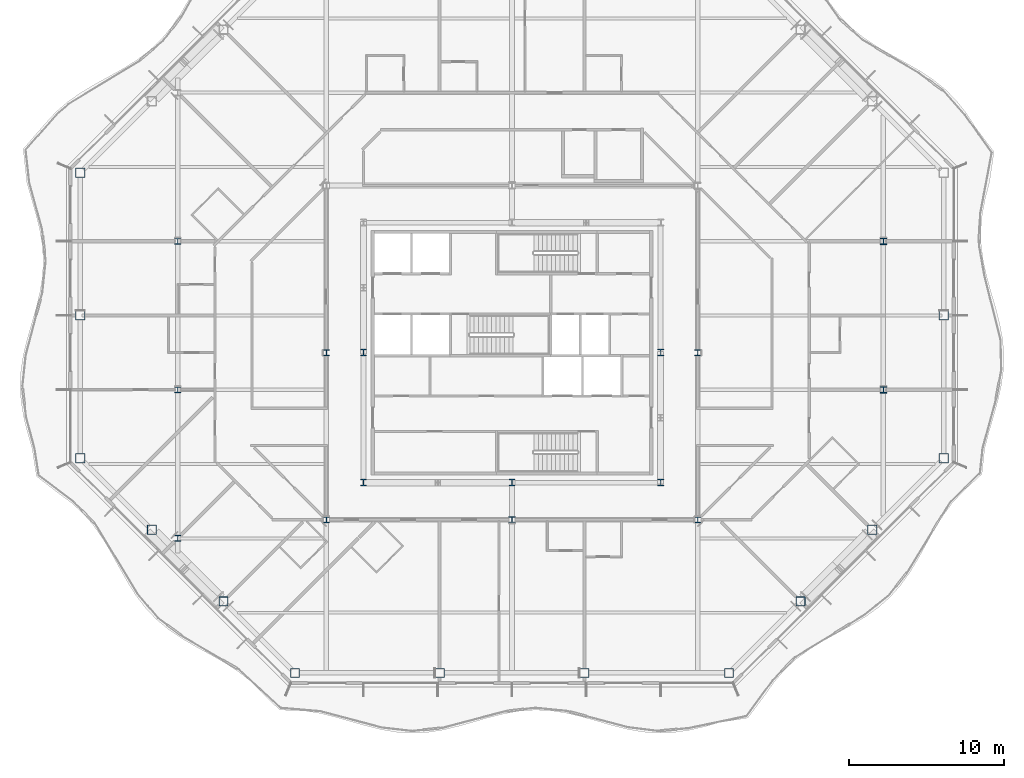
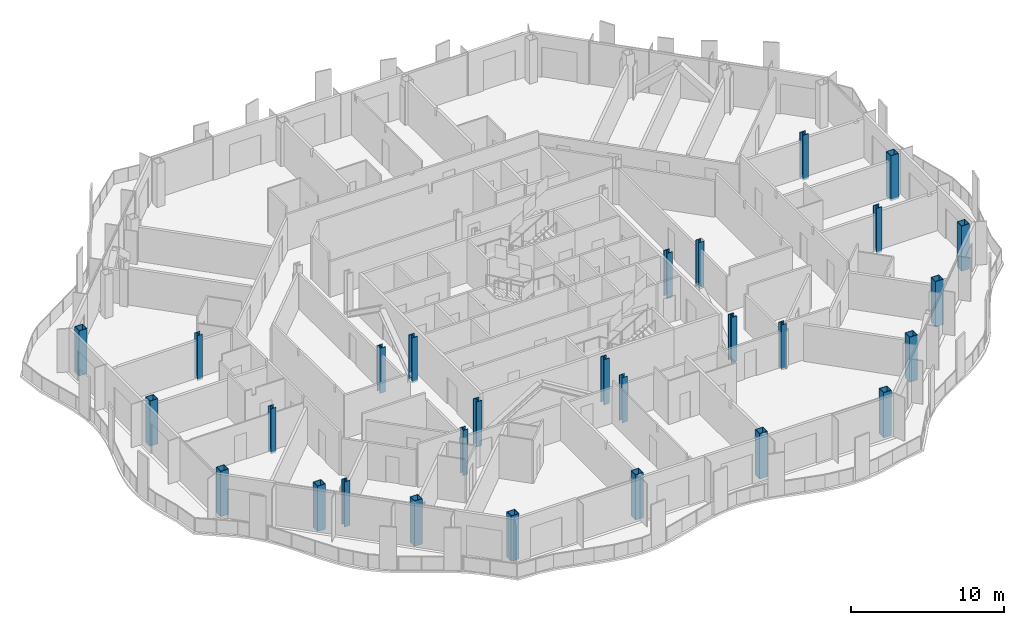
# One storey, part 1 of 21: 28 columns.
"""IFC4 building model written with IfcOpenShell, lengths in metres."""

from ifc_helpers import new_model, si_unit, direction, frame, origin, origin_2d, place, context, subcontext, project, spatial, hollow_rectangle, i_section, extrude, material, material_profile, profile_set, type_object, element, save


model = new_model("IFC4")

# Units and contexts
model_context = context("Model", 3, precision=1e-05, world=origin(), true_north=direction((0.0, 1.0)))
body_context = subcontext(model_context, "Body", "Model", "MODEL_VIEW")
ifc_project = project(units=[si_unit("LENGTHUNIT", "METRE"), si_unit("AREAUNIT", "SQUARE_METRE"), si_unit("VOLUMEUNIT", "CUBIC_METRE"), si_unit("PLANEANGLEUNIT", "RADIAN"), si_unit("MASSUNIT", "GRAM", prefix="KILO")], contexts=[model_context])

# Site, building, storey
site_placement = place(None, origin())
site = spatial("IfcSite", under=ifc_project, at=site_placement, CompositionType="ELEMENT")
building_placement = place(site_placement, origin())
building = spatial("IfcBuilding", under=site, at=building_placement, Name="Cairn Pilgrim Tower", CompositionType="ELEMENT")
storey_placement = place(building_placement, frame((0.0, 0.0, 154.199951171875)))
storey = spatial("IfcBuildingStorey", under=building, at=storey_placement, Name="L38", CompositionType="ELEMENT", Elevation=154.199951171875)

# Columns
ifc_material_1 = material(Name="Structural steel S460M", Category="steel")
ifc_material_profile_1 = material_profile(ifc_material_1, hollow_rectangle(XDim=0.60009765625, YDim=0.60009765625, WallThickness=0.034912109375, at=origin_2d()), Name="BOX 600x600x35")
ifc_profile_set_1 = profile_set([ifc_material_profile_1], Name="Structural steel S460M")
column_type_1 = type_object("IfcColumnType", Name="BOX 600x600x35", PredefinedType="COLUMN", material=ifc_profile_set_1)
for number, where, z_axis, x_axis, name in (
    (1, (-6.8271484375, -18.300048828125, -0.14990234375), (0.0, 0.0, 1.0), (1.0, 0.0, 0.0), "PC2-S1"),
    (2, (2.5244140625, -18.300048828125, -0.14990234375), (0.0, 0.0, 1.0), (1.0, 0.0, 0.0), "PC2-S2"),
    (3, (11.875732421875, -18.300048828125, -0.14990234375), (0.0, 0.0, 1.0), (1.0, 0.0, 0.0), "PC2-S3"),
    (4, (21.227294921875, -18.300048828125, -0.14990234375), (0.0, 0.0, 1.0), (1.0, 0.0, 0.0), "PC2-SE1"),
    (5, (25.8515625, -13.67578125, -0.14990234375), (0.0, 0.0, 1.0), (1.0, 0.0, 0.0), "PC2-SE2"),
    (6, (30.4755859375, -9.051513671875, -0.14990234375), (0.0, 0.0, 1.0), (1.0, 0.0, 0.0), "PC2-SE3"),
    (7, (35.10009765625, -4.42724609375, -0.14990234375), (0.0, 0.0, 1.0), (1.0, 0.0, 0.0), "PC2-E1"),
    (8, (35.10009765625, 4.800048828125, -0.14990234375), (0.0, 0.0, 1.0), (1.0, 0.0, 0.0), "PC2-E2"),
    (9, (-20.699951171875, 14.027099609375, -0.14990234375), (0.0, 0.0, 1.0), (1.0, 0.0, 0.0), "PC2-W1"),
    (10, (-20.699951171875, 4.800048828125, -0.14990234375), (0.0, 0.0, 1.0), (1.0, 0.0, 0.0), "PC2-W2"),
    (11, (-20.699951171875, -4.42724609375, -0.14990234375), (0.0, 0.0, 1.0), (1.0, 0.0, 0.0), "PC2-SW1"),
    (12, (-16.07568359375, -9.051513671875, -0.14990234375), (0.0, 0.0, 1.0), (1.0, 0.0, 0.0), "PC2-SW2"),
    (13, (-11.451416015625, -13.67578125, -0.14990234375), (0.0, 0.0, 1.0), (1.0, 0.0, 0.0), "PC2-SW3"),
):
    element("IfcColumn", number, at=place(storey_placement, frame(where, z_axis=z_axis, x_axis=x_axis)), inside=storey, type_object=column_type_1, Name=name, PredefinedType="COLUMN", context=body_context, shape_type="SweptSolid", body=[
        extrude(hollow_rectangle(XDim=0.60009765625, YDim=0.60009765625, WallThickness=0.034912109375, at=origin_2d()), origin(), (0.0, 0.0, 1.0), 3.599853515625),
    ])
ifc_material_2 = material(Name="Structural steel S355J2", Category="steel")
ifc_material_profile_2 = material_profile(ifc_material_2, i_section(OverallWidth=0.39892578125, OverallDepth=0.39306640625, WebThickness=0.022705078125, FlangeThickness=0.03662109375, FilletRadius=0.014892578125, at=origin_2d()), Name="HD 400x287")
ifc_profile_set_2 = profile_set([ifc_material_profile_2], Name="Structural steel S355J2")
column_type_2 = type_object("IfcColumnType", Name="HD 400x287", PredefinedType="COLUMN", material=ifc_profile_set_2)
for number, where, z_axis, x_axis, name in (
    (14, (-4.800048828125, -8.39990234375, -0.14990234375), (0.0, 0.0, 1.0), (1.0, 0.0, 0.0), "IC-1"),
    (15, (7.199951171875, -8.39990234375, -0.14990234375), (0.0, 0.0, 1.0), (1.0, 0.0, 0.0), "IC-2"),
    (16, (19.199951171875, -8.39990234375, -0.14990234375), (0.0, 0.0, 1.0), (1.0, 0.0, 0.0), "IC-3"),
    (17, (-4.800048828125, 2.39990234375, -0.14990234375), (0.0, 0.0, 1.0), (1.0, 0.0, 0.0), "IC-4"),
    (18, (19.199951171875, 2.39990234375, -0.14990234375), (0.0, 0.0, 1.0), (1.0, 0.0, 0.0), "IC-5"),
    (19, (-14.39990234375, -9.60009765625, -0.14990234375), (0.0, 0.0, 1.0), (1.0, 0.0, 0.0), "WC-WW-2"),
    (20, (-14.39990234375, 0.0, -0.14990234375), (0.0, 0.0, 1.0), (1.0, 0.0, 0.0), "WC-WW+0"),
    (21, (-14.39990234375, 9.60009765625, -0.14990234375), (0.0, 0.0, 1.0), (1.0, 0.0, 0.0), "WC-WW+2"),
):
    element("IfcColumn", number, at=place(storey_placement, frame(where, z_axis=z_axis, x_axis=x_axis)), inside=storey, type_object=column_type_2, Name=name, PredefinedType="COLUMN", context=body_context, shape_type="SweptSolid", body=[
        extrude(i_section(OverallWidth=0.39892578125, OverallDepth=0.39306640625, WebThickness=0.022705078125, FlangeThickness=0.03662109375, FilletRadius=0.014892578125, at=origin_2d()), origin(), (0.0, 0.0, 1.0), 3.599853515625),
    ])
ifc_material_profile_3 = material_profile(ifc_material_1, i_section(OverallWidth=0.408935546875, OverallDepth=0.425048828125, WebThickness=0.03271484375, FlangeThickness=0.052490234375, FilletRadius=0.014892578125, at=origin_2d()), Name="HD 400x421")
ifc_profile_set_3 = profile_set([ifc_material_profile_3], Name="Structural steel S460M")
column_type_3 = type_object("IfcColumnType", Name="HD 400x421", PredefinedType="COLUMN", material=ifc_profile_set_3)
for number, where, z_axis, x_axis, name in (
    (22, (31.199951171875, 0.0, -0.14990234375), (0.0, 0.0, 1.0), (1.0, 0.0, 0.0), "WC-WE+0"),
    (23, (31.199951171875, 9.60009765625, -0.14990234375), (0.0, 0.0, 1.0), (1.0, 0.0, 0.0), "WC-WE+2"),
):
    element("IfcColumn", number, at=place(storey_placement, frame(where, z_axis=z_axis, x_axis=x_axis)), inside=storey, type_object=column_type_3, Name=name, PredefinedType="COLUMN", context=body_context, shape_type="SweptSolid", body=[
        extrude(i_section(OverallWidth=0.408935546875, OverallDepth=0.425048828125, WebThickness=0.03271484375, FlangeThickness=0.052490234375, FilletRadius=0.014892578125, at=origin_2d()), origin(), (0.0, 0.0, 1.0), 3.599853515625),
    ])
ifc_material_profile_4 = material_profile(ifc_material_1, i_section(OverallWidth=0.416015625, OverallDepth=0.446044921875, WebThickness=0.0390625, FlangeThickness=0.062744140625, FilletRadius=0.014892578125, at=origin_2d()), Name="HD 400x509")
ifc_profile_set_4 = profile_set([ifc_material_profile_4], Name="Structural steel S460M")
column_type_4 = type_object("IfcColumnType", Name="HD 400x509", PredefinedType="COLUMN", material=ifc_profile_set_4)
for number, where, z_axis, x_axis, name in (
    (24, (-2.39990234375, -6.0, -0.14990234375), (0.0, 0.0, 1.0), (1.0, 0.0, 0.0), "KC-1"),
    (25, (7.199951171875, -6.0, -0.14990234375), (0.0, 0.0, 1.0), (1.0, 0.0, 0.0), "KC-2"),
    (26, (16.800048828125, -6.0, -0.14990234375), (0.0, 0.0, 1.0), (1.0, 0.0, 0.0), "KC-3"),
    (27, (-2.39990234375, 2.39990234375, -0.14990234375), (0.0, 0.0, 1.0), (1.0, 0.0, 0.0), "KC-4"),
    (28, (16.800048828125, 2.39990234375, -0.14990234375), (0.0, 0.0, 1.0), (1.0, 0.0, 0.0), "KC-5"),
):
    element("IfcColumn", number, at=place(storey_placement, frame(where, z_axis=z_axis, x_axis=x_axis)), inside=storey, type_object=column_type_4, Name=name, PredefinedType="COLUMN", context=body_context, shape_type="SweptSolid", body=[
        extrude(i_section(OverallWidth=0.416015625, OverallDepth=0.446044921875, WebThickness=0.0390625, FlangeThickness=0.062744140625, FilletRadius=0.014892578125, at=origin_2d()), origin(), (0.0, 0.0, 1.0), 3.599853515625),
    ])

save(model, "model.ifc")
